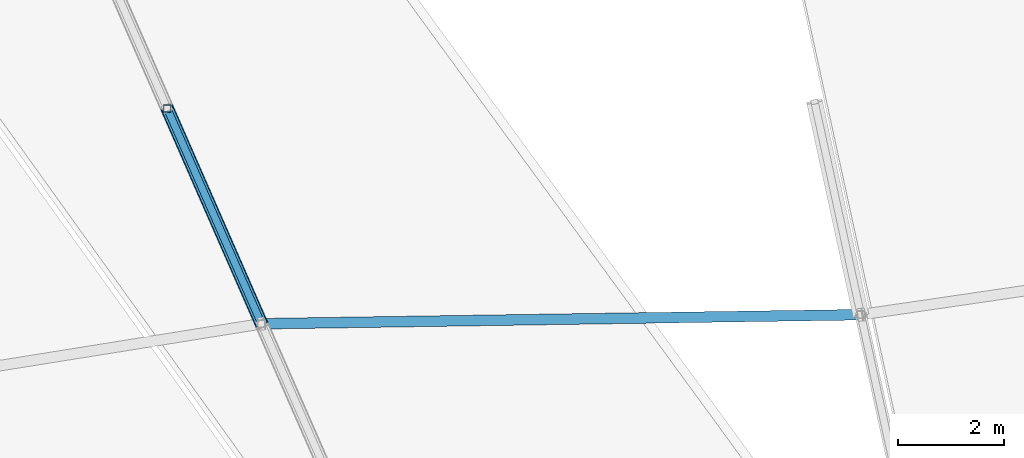
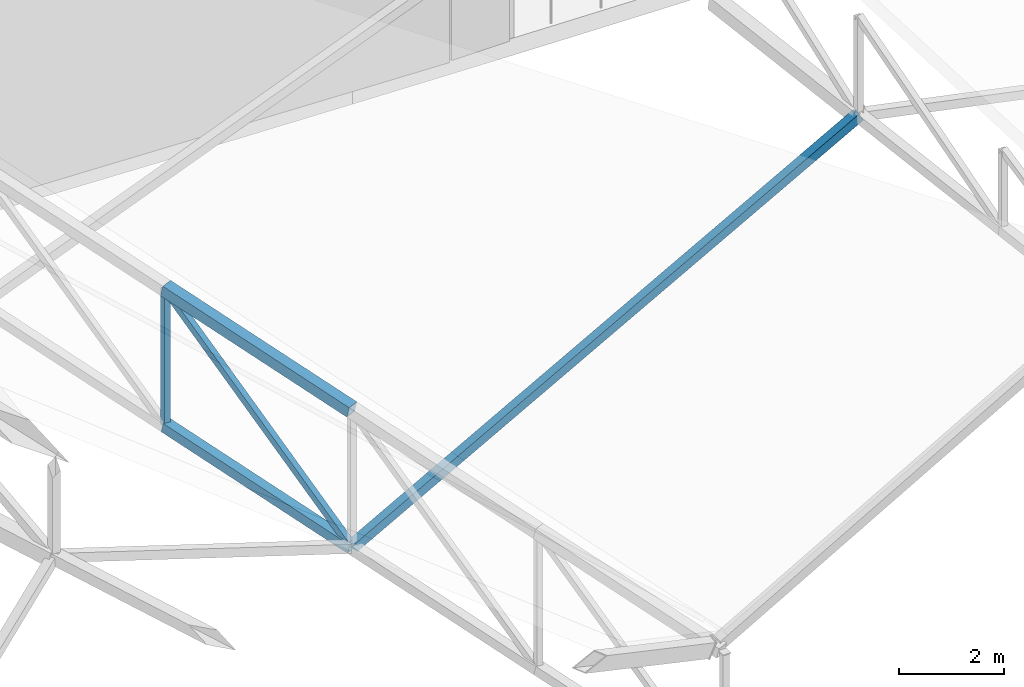
# One storey, part 146 of 344: 5 members.
"""IFC4 building model written with IfcOpenShell, lengths in metres."""

from ifc_helpers import new_model, si_unit, direction, frame, origin, origin_2d, place, context, subcontext, project, spatial, hollow_rectangle, extrude, material, material_profile, profile_set, type_object, element, save


model = new_model("IFC4")

# Units and contexts
model_context = context("Model", 3, precision=1e-05, world=origin(), true_north=direction((0.0, 1.0)))
body_context = subcontext(model_context, "Body", "Model", "MODEL_VIEW")
ifc_project = project(units=[si_unit("LENGTHUNIT", "METRE"), si_unit("AREAUNIT", "SQUARE_METRE"), si_unit("VOLUMEUNIT", "CUBIC_METRE"), si_unit("PLANEANGLEUNIT", "RADIAN"), si_unit("MASSUNIT", "GRAM", prefix="KILO")], contexts=[model_context])

# Site, building, storey
site_placement = place(None, origin())
site = spatial("IfcSite", under=ifc_project, at=site_placement, CompositionType="ELEMENT")
building_placement = place(site_placement, origin())
building = spatial("IfcBuilding", under=site, at=building_placement, Name="Meseta Stadium", CompositionType="ELEMENT")
storey_placement = place(building_placement, frame((0.0, 0.0, 24.0)))
storey = spatial("IfcBuildingStorey", under=building, at=storey_placement, Name="L04", CompositionType="ELEMENT", Elevation=24.0)

# Members
ifc_material_1 = material(Name="Steel S355", Category="steel")
ifc_material_profile_1 = material_profile(ifc_material_1, hollow_rectangle(XDim=0.139892578125, YDim=0.139892578125, WallThickness=0.0048828125, at=origin_2d()), Name="SHS 140x140x5")
ifc_profile_set_1 = profile_set([ifc_material_profile_1], Name="Steel S355")
member_type_1 = type_object("IfcMemberType", Name="SHS 140x140x5 diagonal", PredefinedType="BRACE", material=ifc_profile_set_1)
member_1_placement = place(storey_placement, frame((-27.43017578125, 73.6884765625, 0.342529296875), z_axis=(-0.290918020478, 0.664698263541, 0.688144551534), x_axis=(-0.916100374083, -0.400949004993, 0.0)))
element("IfcMember", 1, at=member_1_placement, inside=storey, type_object=member_type_1, Name="ROOF TRUSS RT-21 diagonal", PredefinedType="BRACE", context=body_context, shape_type="SweptSolid", body=[
    extrude(hollow_rectangle(XDim=0.139892578125, YDim=0.139892578125, WallThickness=0.0048828125, at=origin_2d()), origin(), (0.0, 0.0, 1.0), 6.101806640625),
])
ifc_material_2 = material(Name="Steel S355", Category="steel")
ifc_material_profile_2 = material_profile(ifc_material_2, hollow_rectangle(XDim=0.139892578125, YDim=0.139892578125, WallThickness=0.0048828125, at=origin_2d()), Name="SHS 140x140x5")
ifc_profile_set_2 = profile_set([ifc_material_profile_2], Name="Steel S355")
member_type_2 = type_object("IfcMemberType", Name="SHS 140x140x5 post", PredefinedType="POST", material=ifc_profile_set_2)
member_2_placement = place(storey_placement, frame((-29.205322265625, 77.744384765625, 1.341552734375), z_axis=(0.0, 0.0, 1.0), x_axis=(1.0, 0.0, 0.0)))
element("IfcMember", 2, at=member_2_placement, inside=storey, type_object=member_type_2, Name="ROOF TRUSS RT-21 post", PredefinedType="POST", context=body_context, shape_type="SweptSolid", body=[
    extrude(hollow_rectangle(XDim=0.139892578125, YDim=0.139892578125, WallThickness=0.0048828125, at=origin_2d()), origin(), (0.0, 0.0, 1.0), 3.199951171875),
])
ifc_material_3 = material(Name="Steel S355", Category="steel")
ifc_material_profile_3 = material_profile(ifc_material_3, hollow_rectangle(XDim=0.199951171875, YDim=0.199951171875, WallThickness=0.008056640625, at=origin_2d()), Name="SHS 200x200x8")
ifc_profile_set_3 = profile_set([ifc_material_profile_3], Name="Steel S355")
member_type_3 = type_object("IfcMemberType", Name="SHS 200x200x8 strut", PredefinedType="STRUT", material=ifc_profile_set_3)
member_3_placement = place(storey_placement, frame((-16.1357421875, 73.859130859375, 6.376220703125), z_axis=(-0.881950358144, -0.013325911122, -0.471153887665), x_axis=(0.015107868723, -0.999885869638, 0.0)))
element("IfcMember", 3, at=member_3_placement, inside=storey, type_object=member_type_3, Name="ROOF TRUSS STRUT RT-20/21", PredefinedType="STRUT", context=body_context, shape_type="SweptSolid", body=[
    extrude(hollow_rectangle(XDim=0.199951171875, YDim=0.199951171875, WallThickness=0.008056640625, at=origin_2d()), origin(), (0.0, 0.0, 1.0), 12.80615234375),
])
ifc_material_4 = material(Name="Steel S355", Category="steel")
ifc_material_profile_4 = material_profile(ifc_material_4, hollow_rectangle(XDim=0.219970703125, YDim=0.219970703125, WallThickness=0.008056640625, at=origin_2d()), Name="SHS 220x220x8")
ifc_profile_set_4 = profile_set([ifc_material_profile_4], Name="Steel S355")
member_type_4 = type_object("IfcMemberType", Name="SHS 220x220x8 bottom chord", PredefinedType="CHORD", material=ifc_profile_set_4)
member_4_placement = place(storey_placement, frame((-27.43017578125, 73.6884765625, 0.342529296875), z_axis=(-0.391115447605, 0.893632365707, 0.220113383523), x_axis=(-0.916100374083, -0.400949004993, 0.0)))
element("IfcMember", 4, at=member_4_placement, inside=storey, type_object=member_type_4, Name="ROOF TRUSS RT-21 bottom chord", PredefinedType="CHORD", context=body_context, shape_type="SweptSolid", body=[
    extrude(hollow_rectangle(XDim=0.219970703125, YDim=0.219970703125, WallThickness=0.008056640625, at=origin_2d()), origin(), (0.0, 0.0, 1.0), 4.53857421875),
])
ifc_material_5 = material(Name="Steel S355", Category="steel")
ifc_material_profile_5 = material_profile(ifc_material_5, hollow_rectangle(XDim=0.25, YDim=0.25, WallThickness=0.010009765625, at=origin_2d()), Name="SHS 250x250x10")
ifc_profile_set_5 = profile_set([ifc_material_profile_5], Name="Steel S355")
member_type_5 = type_object("IfcMemberType", Name="SHS 250x250x10 top chord", PredefinedType="CHORD", material=ifc_profile_set_5)
member_5_placement = place(storey_placement, frame((-27.43017578125, 73.6884765625, 3.54248046875), z_axis=(-0.391115447605, 0.893632365707, 0.220113383523), x_axis=(-0.916100374083, -0.400949004993, 0.0)))
element("IfcMember", 5, at=member_5_placement, inside=storey, type_object=member_type_5, Name="ROOF TRUSS RT-21 top chord", PredefinedType="CHORD", context=body_context, shape_type="SweptSolid", body=[
    extrude(hollow_rectangle(XDim=0.25, YDim=0.25, WallThickness=0.010009765625, at=origin_2d()), origin(), (0.0, 0.0, 1.0), 4.53857421875),
])

save(model, "model.ifc")
